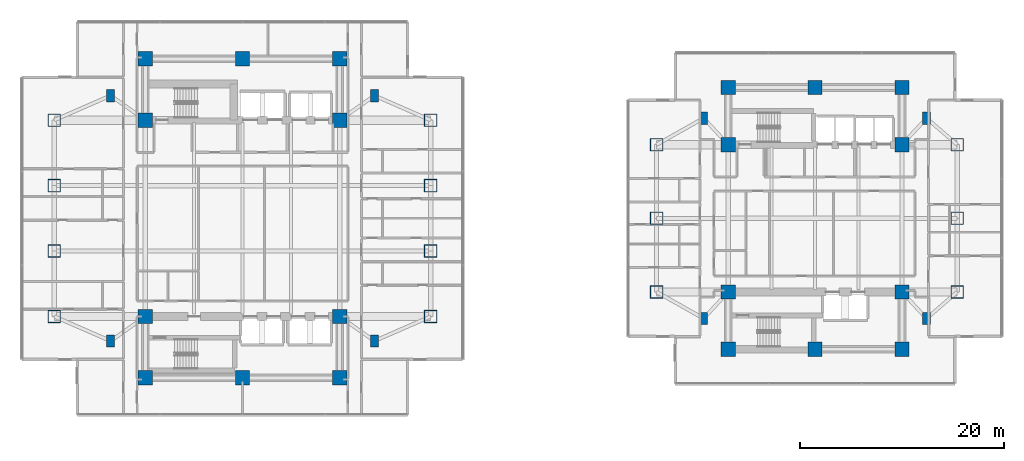
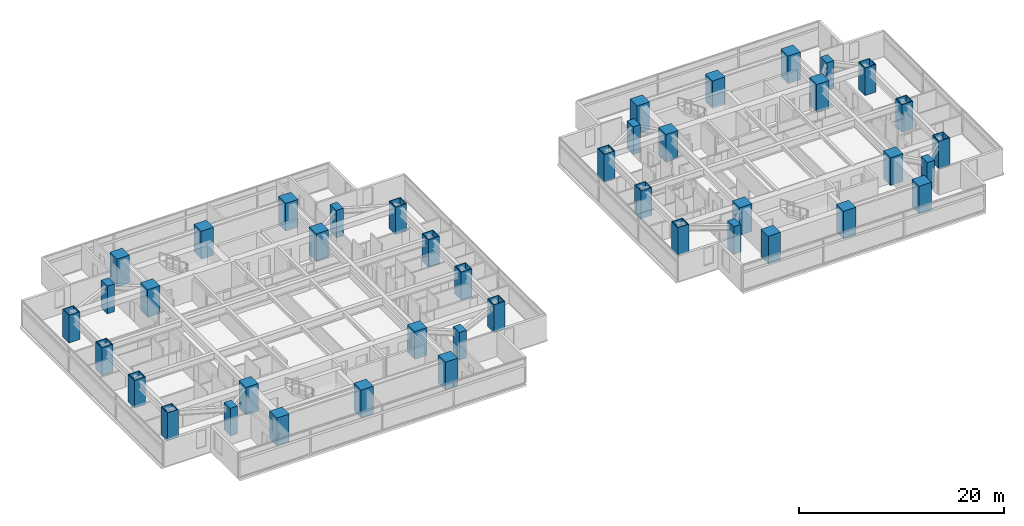
# One storey, part 1 of 23: 42 columns.
"""IFC4 building model written with IfcOpenShell, lengths in metres."""

from ifc_helpers import new_model, si_unit, direction, frame, origin, origin_2d, place, context, subcontext, project, spatial, rectangle, hollow_rectangle, extrude, material, material_profile, profile_set, type_object, element, save


model = new_model("IFC4")

# Units and contexts
model_context = context("Model", 3, precision=1e-05, world=origin(), true_north=direction((0.0, 1.0)))
body_context = subcontext(model_context, "Body", "Model", "MODEL_VIEW")
ifc_project = project(units=[si_unit("LENGTHUNIT", "METRE"), si_unit("AREAUNIT", "SQUARE_METRE"), si_unit("VOLUMEUNIT", "CUBIC_METRE"), si_unit("PLANEANGLEUNIT", "RADIAN"), si_unit("MASSUNIT", "GRAM", prefix="KILO")], contexts=[model_context])

# Site, building, storey
site_placement = place(None, origin())
site = spatial("IfcSite", under=ifc_project, at=site_placement, CompositionType="ELEMENT")
building_placement = place(site_placement, origin())
building = spatial("IfcBuilding", under=site, at=building_placement, Name="Mirazonda Arch Towers", CompositionType="ELEMENT")
storey_placement = place(building_placement, frame((0.0, 0.0, 29.0)))
storey = spatial("IfcBuildingStorey", under=building, at=storey_placement, Name="L07", CompositionType="ELEMENT", Elevation=29.0)

# Columns
ifc_material_1 = material(Name="Concrete C60/75", Category="concrete")
ifc_material_profile_1 = material_profile(ifc_material_1, rectangle(XDim=1.39990234375, YDim=1.39990234375, at=origin_2d()), Name="RC1400x1400")
ifc_profile_set_1 = profile_set([ifc_material_profile_1], Name="Concrete C60/75")
column_type_1 = type_object("IfcColumnType", Name="COL-INT-RC1400x1400", PredefinedType="COLUMN", material=ifc_profile_set_1)
for number, where, z_axis, x_axis, name in (
    (1, (11.0, 12.39990234375, 0.0), (0.0, 0.0, 1.0), (1.0, 0.0, 0.0), "L07 T1 Core Column 01"),
    (2, (20.5, 12.39990234375, 0.0), (0.0, 0.0, 1.0), (1.0, 0.0, 0.0), "L07 T1 Core Column 02"),
    (3, (30.0, 12.39990234375, 0.0), (0.0, 0.0, 1.0), (1.0, 0.0, 0.0), "L07 T1 Core Column 03"),
    (4, (11.0, 18.39990234375, 0.0), (0.0, 0.0, 1.0), (1.0, 0.0, 0.0), "L07 T1 Core Column 04"),
    (5, (30.0, 18.39990234375, 0.0), (0.0, 0.0, 1.0), (1.0, 0.0, 0.0), "L07 T1 Core Column 05"),
    (6, (11.0, 37.60009765625, 0.0), (0.0, 0.0, 1.0), (1.0, 0.0, 0.0), "L07 T1 Core Column 06"),
    (7, (30.0, 37.60009765625, 0.0), (0.0, 0.0, 1.0), (1.0, 0.0, 0.0), "L07 T1 Core Column 07"),
    (8, (11.0, 43.60009765625, 0.0), (0.0, 0.0, 1.0), (1.0, 0.0, 0.0), "L07 T1 Core Column 08"),
    (9, (20.5, 43.60009765625, 0.0), (0.0, 0.0, 1.0), (1.0, 0.0, 0.0), "L07 T1 Core Column 09"),
    (10, (30.0, 43.60009765625, 0.0), (0.0, 0.0, 1.0), (1.0, 0.0, 0.0), "L07 T1 Core Column 10"),
    (11, (68.0, 15.199951171875, 0.0), (0.0, 0.0, 1.0), (1.0, 0.0, 0.0), "L07 T2 Core Column 01"),
    (12, (76.5, 15.199951171875, 0.0), (0.0, 0.0, 1.0), (1.0, 0.0, 0.0), "L07 T2 Core Column 02"),
    (13, (85.0, 15.199951171875, 0.0), (0.0, 0.0, 1.0), (1.0, 0.0, 0.0), "L07 T2 Core Column 03"),
    (14, (68.0, 20.800048828125, 0.0), (0.0, 0.0, 1.0), (1.0, 0.0, 0.0), "L07 T2 Core Column 04"),
    (15, (85.0, 20.800048828125, 0.0), (0.0, 0.0, 1.0), (1.0, 0.0, 0.0), "L07 T2 Core Column 05"),
    (16, (68.0, 35.199951171875, 0.0), (0.0, 0.0, 1.0), (1.0, 0.0, 0.0), "L07 T2 Core Column 06"),
    (17, (85.0, 35.199951171875, 0.0), (0.0, 0.0, 1.0), (1.0, 0.0, 0.0), "L07 T2 Core Column 07"),
    (18, (68.0, 40.800048828125, 0.0), (0.0, 0.0, 1.0), (1.0, 0.0, 0.0), "L07 T2 Core Column 08"),
    (19, (76.5, 40.800048828125, 0.0), (0.0, 0.0, 1.0), (1.0, 0.0, 0.0), "L07 T2 Core Column 09"),
    (20, (85.0, 40.800048828125, 0.0), (0.0, 0.0, 1.0), (1.0, 0.0, 0.0), "L07 T2 Core Column 10"),
):
    element("IfcColumn", number, at=place(storey_placement, frame(where, z_axis=z_axis, x_axis=x_axis)), inside=storey, type_object=column_type_1, Name=name, PredefinedType="COLUMN", context=body_context, shape_type="SweptSolid", body=[
        extrude(rectangle(XDim=1.39990234375, YDim=1.39990234375, at=origin_2d()), origin(), (0.0, 0.0, 1.0), 3.300048828125),
    ])
ifc_material_2 = material(Name="Steel ASTM A572 Grade 50", Category="steel")
ifc_material_profile_2 = material_profile(ifc_material_2, hollow_rectangle(XDim=1.25, YDim=1.25, WallThickness=0.070068359375, at=origin_2d()), Name="BOX1250x1250x70")
ifc_profile_set_2 = profile_set([ifc_material_profile_2], Name="Steel ASTM A572 Grade 50")
column_type_2 = type_object("IfcColumnType", Name="MCOL-EXT-BOX1250x1250x70", PredefinedType="COLUMN", material=ifc_profile_set_2)
for number, where, z_axis, x_axis, name in (
    (21, (2.10009765625, 18.39990234375, 0.0), (0.0, 0.0, 1.0), (1.0, 0.0, 0.0), "L07 T1 Composite Mega-Column 01"),
    (22, (2.10009765625, 24.800048828125, 0.0), (0.0, 0.0, 1.0), (1.0, 0.0, 0.0), "L07 T1 Composite Mega-Column 02"),
    (23, (2.10009765625, 31.199951171875, 0.0), (0.0, 0.0, 1.0), (1.0, 0.0, 0.0), "L07 T1 Composite Mega-Column 03"),
    (24, (2.10009765625, 37.60009765625, 0.0), (0.0, 0.0, 1.0), (1.0, 0.0, 0.0), "L07 T1 Composite Mega-Column 04"),
    (25, (38.89990234375, 18.39990234375, 0.0), (0.0, 0.0, 1.0), (1.0, 0.0, 0.0), "L07 T1 Composite Mega-Column 05"),
    (26, (38.89990234375, 24.800048828125, 0.0), (0.0, 0.0, 1.0), (1.0, 0.0, 0.0), "L07 T1 Composite Mega-Column 06"),
    (27, (38.89990234375, 31.199951171875, 0.0), (0.0, 0.0, 1.0), (1.0, 0.0, 0.0), "L07 T1 Composite Mega-Column 07"),
    (28, (38.89990234375, 37.60009765625, 0.0), (0.0, 0.0, 1.0), (1.0, 0.0, 0.0), "L07 T1 Composite Mega-Column 08"),
    (29, (61.0, 20.800048828125, 0.0), (0.0, 0.0, 1.0), (1.0, 0.0, 0.0), "L07 T2 Composite Mega-Column 01"),
    (30, (61.0, 28.0, 0.0), (0.0, 0.0, 1.0), (1.0, 0.0, 0.0), "L07 T2 Composite Mega-Column 02"),
    (31, (61.0, 35.199951171875, 0.0), (0.0, 0.0, 1.0), (1.0, 0.0, 0.0), "L07 T2 Composite Mega-Column 03"),
    (32, (90.39990234375, 20.800048828125, 0.0), (0.0, 0.0, 1.0), (1.0, 0.0, 0.0), "L07 T2 Composite Mega-Column 04"),
    (33, (90.39990234375, 28.0, 0.0), (0.0, 0.0, 1.0), (1.0, 0.0, 0.0), "L07 T2 Composite Mega-Column 05"),
    (34, (90.39990234375, 35.199951171875, 0.0), (0.0, 0.0, 1.0), (1.0, 0.0, 0.0), "L07 T2 Composite Mega-Column 06"),
):
    element("IfcColumn", number, at=place(storey_placement, frame(where, z_axis=z_axis, x_axis=x_axis)), inside=storey, type_object=column_type_2, Name=name, PredefinedType="COLUMN", context=body_context, shape_type="SweptSolid", body=[
        extrude(hollow_rectangle(XDim=1.25, YDim=1.25, WallThickness=0.070068359375, at=origin_2d()), origin(), (0.0, 0.0, 1.0), 3.300048828125),
    ])
ifc_material_profile_3 = material_profile(ifc_material_1, rectangle(XDim=0.800048828125, YDim=1.199951171875, at=origin_2d()), Name="RC1200x800")
ifc_profile_set_3 = profile_set([ifc_material_profile_3], Name="Concrete C60/75")
column_type_3 = type_object("IfcColumnType", Name="PIL-EXT-RC1200x800", PredefinedType="PILASTER", material=ifc_profile_set_3)
for number, where, z_axis, x_axis, name in (
    (35, (7.60009765625, 16.0, 0.0), (0.0, 0.0, 1.0), (1.0, 0.0, 0.0), "L07 T1 Corner Pilaster 01"),
    (36, (33.39990234375, 16.0, 0.0), (0.0, 0.0, 1.0), (1.0, 0.0, 0.0), "L07 T1 Corner Pilaster 02"),
    (37, (7.60009765625, 40.0, 0.0), (0.0, 0.0, 1.0), (1.0, 0.0, 0.0), "L07 T1 Corner Pilaster 03"),
    (38, (33.39990234375, 40.0, 0.0), (0.0, 0.0, 1.0), (1.0, 0.0, 0.0), "L07 T1 Corner Pilaster 04"),
    (39, (65.60009765625, 18.199951171875, 0.0), (0.0, 0.0, 1.0), (1.0, 0.0, 0.0), "L07 T2 Corner Pilaster 01"),
    (40, (87.39990234375, 18.199951171875, 0.0), (0.0, 0.0, 1.0), (1.0, 0.0, 0.0), "L07 T2 Corner Pilaster 02"),
    (41, (65.60009765625, 37.800048828125, 0.0), (0.0, 0.0, 1.0), (1.0, 0.0, 0.0), "L07 T2 Corner Pilaster 03"),
    (42, (87.39990234375, 37.800048828125, 0.0), (0.0, 0.0, 1.0), (1.0, 0.0, 0.0), "L07 T2 Corner Pilaster 04"),
):
    element("IfcColumn", number, at=place(storey_placement, frame(where, z_axis=z_axis, x_axis=x_axis)), inside=storey, type_object=column_type_3, Name=name, PredefinedType="PILASTER", context=body_context, shape_type="SweptSolid", body=[
        extrude(rectangle(XDim=0.800048828125, YDim=1.199951171875, at=origin_2d()), origin(), (0.0, 0.0, 1.0), 3.300048828125),
    ])

save(model, "model.ifc")
